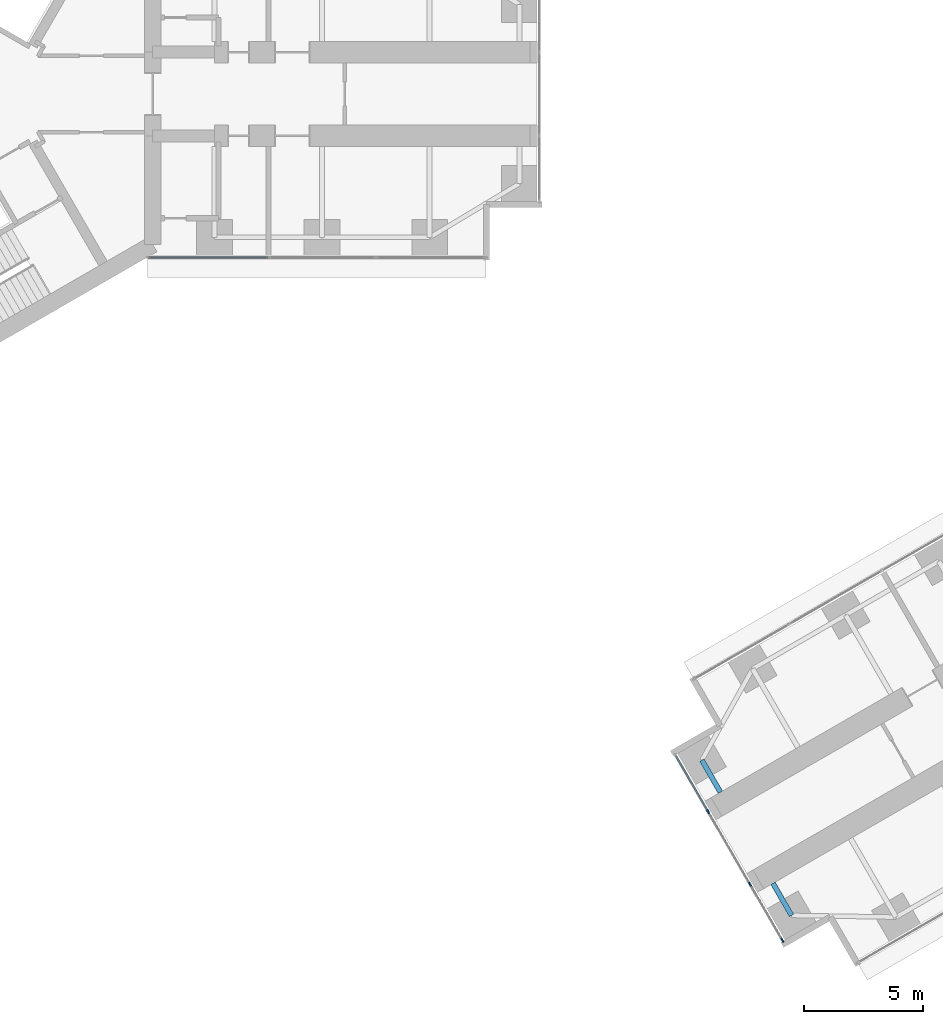
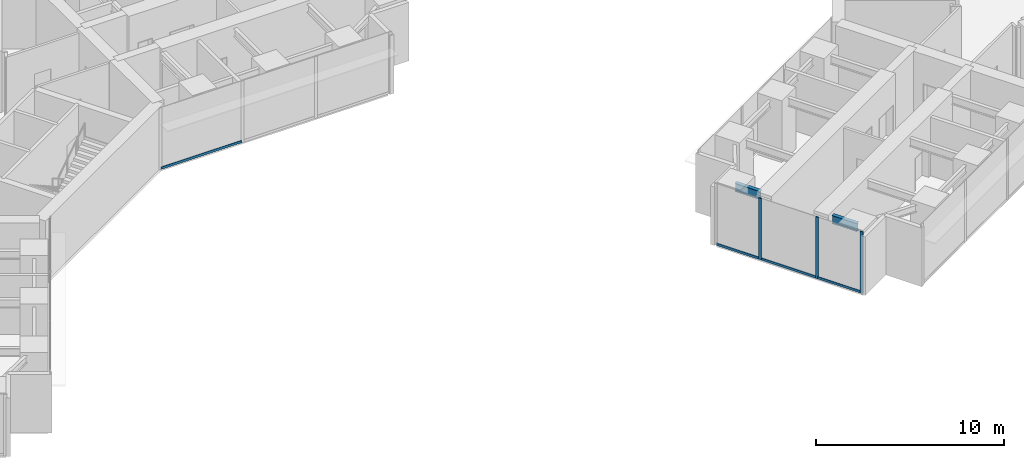
# One storey, part 3 of 23: 7 members, 2 beams, 2 elements without a shape of their own.
"""IFC4 building model written with IfcOpenShell, lengths in metres."""

from ifc_helpers import new_model, si_unit, direction, frame, origin, origin_2d, place, context, subcontext, project, spatial, rectangle, i_section, extrude, material, material_profile, profile_set, type_object, element, aggregate, save


model = new_model("IFC4")

# Units and contexts
model_context = context("Model", 3, precision=1e-05, world=origin(), true_north=direction((0.0, 1.0)))
body_context = subcontext(model_context, "Body", "Model", "MODEL_VIEW")
ifc_project = project(units=[si_unit("LENGTHUNIT", "METRE"), si_unit("AREAUNIT", "SQUARE_METRE"), si_unit("VOLUMEUNIT", "CUBIC_METRE"), si_unit("PLANEANGLEUNIT", "RADIAN"), si_unit("MASSUNIT", "GRAM", prefix="KILO")], contexts=[model_context])

# Site, building, storey
site_placement = place(None, origin())
site = spatial("IfcSite", under=ifc_project, at=site_placement, CompositionType="ELEMENT")
building_placement = place(site_placement, origin())
building = spatial("IfcBuilding", under=site, at=building_placement, Name="Upepo Twin Towers", CompositionType="ELEMENT")
storey_placement = place(building_placement, frame((0.0, 0.0, 24.5)))
storey = spatial("IfcBuildingStorey", under=building, at=storey_placement, Name="L05", CompositionType="ELEMENT", Elevation=24.5)

# Beams
ifc_material_1 = material(Name="Steel S355", Category="steel")
ifc_material_profile_1 = material_profile(ifc_material_1, i_section(OverallWidth=0.2099609375, OverallDepth=0.53662109375, WebThickness=0.0107421875, FlangeThickness=0.017333984375, FilletRadius=0.0126953125, at=origin_2d()), Name="UB 533x210x101")
ifc_profile_set_1 = profile_set([ifc_material_profile_1], Name="Steel S355")
beam_type = type_object("IfcBeamType", Name="Beam UB 533x210x101", PredefinedType="BEAM", material=ifc_profile_set_1)
for number, where, z_axis, x_axis, name in (
    (1, (37.641845703125, -34.37255859375, 3.53173828125), (-0.499967891604, 0.866043940782, 0.0), (-0.866043940782, -0.499967891604, 0.0), "T2 nose beam BL"),
    (2, (33.891845703125, -27.87744140625, 3.53173828125), (0.499967891604, -0.866043940782, 0.0), (0.866043940782, 0.499967891604, 0.0), "T2 nose beam BR"),
):
    element("IfcBeam", number, at=place(storey_placement, frame(where, z_axis=z_axis, x_axis=x_axis)), inside=storey, type_object=beam_type, Name=name, PredefinedType="BEAM", context=body_context, shape_type="SweptSolid", body=[
        extrude(i_section(OverallWidth=0.2099609375, OverallDepth=0.53662109375, WebThickness=0.0107421875, FlangeThickness=0.017333984375, FilletRadius=0.0126953125, at=origin_2d()), origin(), (0.0, 0.0, 1.0), 1.5498046875),
    ])

# Curtain wall, members
ifc_material_2 = material(Name="Aluminium and fritted glass", Category="aluminium")
curtain_wall_type = type_object("IfcCurtainWallType", Name="Tower curtain wall TW1, fritted glass", PredefinedType="NOTDEFINED", material=ifc_material_2)
curtain_wall_1_placement = place(storey_placement, origin())
curtain_wall_1 = element("IfcCurtainWall", 3, at=curtain_wall_1_placement, inside=storey, type_object=curtain_wall_type, Name="T2 L05 wing B nose curtain wall", PredefinedType="NOTDEFINED")
ifc_material_3 = material(Name="Aluminium mullion", Category="aluminium")
ifc_material_profile_2 = material_profile(ifc_material_3, rectangle(XDim=0.06494140625, YDim=0.179931640625, at=origin_2d()), Name="MULLION 65x180")
ifc_profile_set_2 = profile_set([ifc_material_profile_2], Name="Aluminium mullion")
member_type_1 = type_object("IfcMemberType", Name="Mullion 65x180 TW1", PredefinedType="MULLION", material=ifc_profile_set_2)
member_1_placement = place(storey_placement, frame((34.15576171875, -30.034423828125, 0.0), z_axis=(0.0, 0.0, 1.0), x_axis=(0.866025386174, 0.500000030502, 0.0)))
member_1 = element("IfcMember", 4, at=member_1_placement, type_object=member_type_1, Name="T2 L05 wing B nose curtain wall mullion 2", PredefinedType="MULLION", context=body_context, shape_type="SweptSolid", body=[
    extrude(rectangle(XDim=0.06494140625, YDim=0.179931640625, at=origin_2d()), origin(), (0.0, 0.0, 1.0), 4.0),
])
member_2_placement = place(storey_placement, frame((35.90576171875, -33.0654296875, 0.0), z_axis=(0.0, 0.0, 1.0), x_axis=(0.866025386174, 0.500000030502, 0.0)))
member_2 = element("IfcMember", 5, at=member_2_placement, type_object=member_type_1, Name="T2 L05 wing B nose curtain wall mullion 3", PredefinedType="MULLION", context=body_context, shape_type="SweptSolid", body=[
    extrude(rectangle(XDim=0.06494140625, YDim=0.179931640625, at=origin_2d()), origin(), (0.0, 0.0, 1.0), 4.0),
])
member_3_placement = place(storey_placement, frame((37.264404296875, -35.4189453125, 0.0), z_axis=(0.0, 0.0, 1.0), x_axis=(0.866025386174, 0.500000030502, 0.0)))
member_3 = element("IfcMember", 6, at=member_3_placement, type_object=member_type_1, Name="T2 L05 wing B nose curtain wall mullion 4", PredefinedType="MULLION", context=body_context, shape_type="SweptSolid", body=[
    extrude(rectangle(XDim=0.06494140625, YDim=0.179931640625, at=origin_2d()), origin(), (0.0, 0.0, 1.0), 4.0),
])

# Curtain wall, member
curtain_wall_2_placement = place(storey_placement, origin())
curtain_wall_2 = element("IfcCurtainWall", 7, at=curtain_wall_2_placement, inside=storey, type_object=curtain_wall_type, Name="T1 L05 wing A flank R curtain wall", PredefinedType="NOTDEFINED")
ifc_material_4 = material(Name="Aluminium transom", Category="aluminium")
ifc_material_profile_3 = material_profile(ifc_material_4, rectangle(XDim=0.06494140625, YDim=0.14990234375, at=origin_2d()), Name="TRANSOM 65x150")
ifc_profile_set_3 = profile_set([ifc_material_profile_3], Name="Aluminium transom")
member_type_2 = type_object("IfcMemberType", Name="Transom 65x150 TW1", PredefinedType="USERDEFINED", material=ifc_profile_set_3)
member_4_placement = place(storey_placement, frame((15.717529296875, -6.85009765625, 0.074951171875), z_axis=(-1.0, 0.0, 0.0), x_axis=(0.0, -1.0, 0.0)))
member_4 = element("IfcMember", 8, at=member_4_placement, type_object=member_type_2, Name="T1 L05 wing A flank R curtain wall transom 3", ObjectType="TRANSOM", PredefinedType="USERDEFINED", context=body_context, shape_type="SweptSolid", body=[
    extrude(rectangle(XDim=0.06494140625, YDim=0.14990234375, at=origin_2d()), origin(), (0.0, 0.0, 1.0), 4.96533203125),
])
aggregate(curtain_wall_2, [member_4])

# Member
member_5_placement = place(storey_placement, frame((32.813232421875, -27.709228515625, 0.074951171875), z_axis=(0.499980071345, -0.866036909293, 0.0), x_axis=(0.866036909293, 0.499980071345, 0.0)))
member_5 = element("IfcMember", 9, at=member_5_placement, type_object=member_type_2, Name="T2 L05 wing B nose curtain wall transom 1", ObjectType="TRANSOM", PredefinedType="USERDEFINED", context=body_context, shape_type="SweptSolid", body=[
    extrude(rectangle(XDim=0.06494140625, YDim=0.14990234375, at=origin_2d()), origin(), (0.0, 0.0, 1.0), 2.65234375),
])

member_6_placement = place(storey_placement, frame((34.171875, -30.0625, 0.074951171875), z_axis=(0.499999305434, -0.866025804792, 0.0), x_axis=(0.866025804792, 0.499999305434, 0.0)))
member_6 = element("IfcMember", 10, at=member_6_placement, type_object=member_type_2, Name="T2 L05 wing B nose curtain wall transom 2", ObjectType="TRANSOM", PredefinedType="USERDEFINED", context=body_context, shape_type="SweptSolid", body=[
    extrude(rectangle(XDim=0.06494140625, YDim=0.14990234375, at=origin_2d()), origin(), (0.0, 0.0, 1.0), 3.43505859375),
])

member_7_placement = place(storey_placement, frame((35.921875, -33.09375, 0.074951171875), z_axis=(0.500049101008, -0.865997053448, 0.0), x_axis=(0.865997053448, 0.500049101008, 0.0)))
member_7 = element("IfcMember", 11, at=member_7_placement, type_object=member_type_2, Name="T2 L05 wing B nose curtain wall transom 3", ObjectType="TRANSOM", PredefinedType="USERDEFINED", context=body_context, shape_type="SweptSolid", body=[
    extrude(rectangle(XDim=0.06494140625, YDim=0.14990234375, at=origin_2d()), origin(), (0.0, 0.0, 1.0), 2.652587890625),
])

aggregate(curtain_wall_1, [member_1, member_2, member_3, member_5, member_6, member_7])

save(model, "model.ifc")
